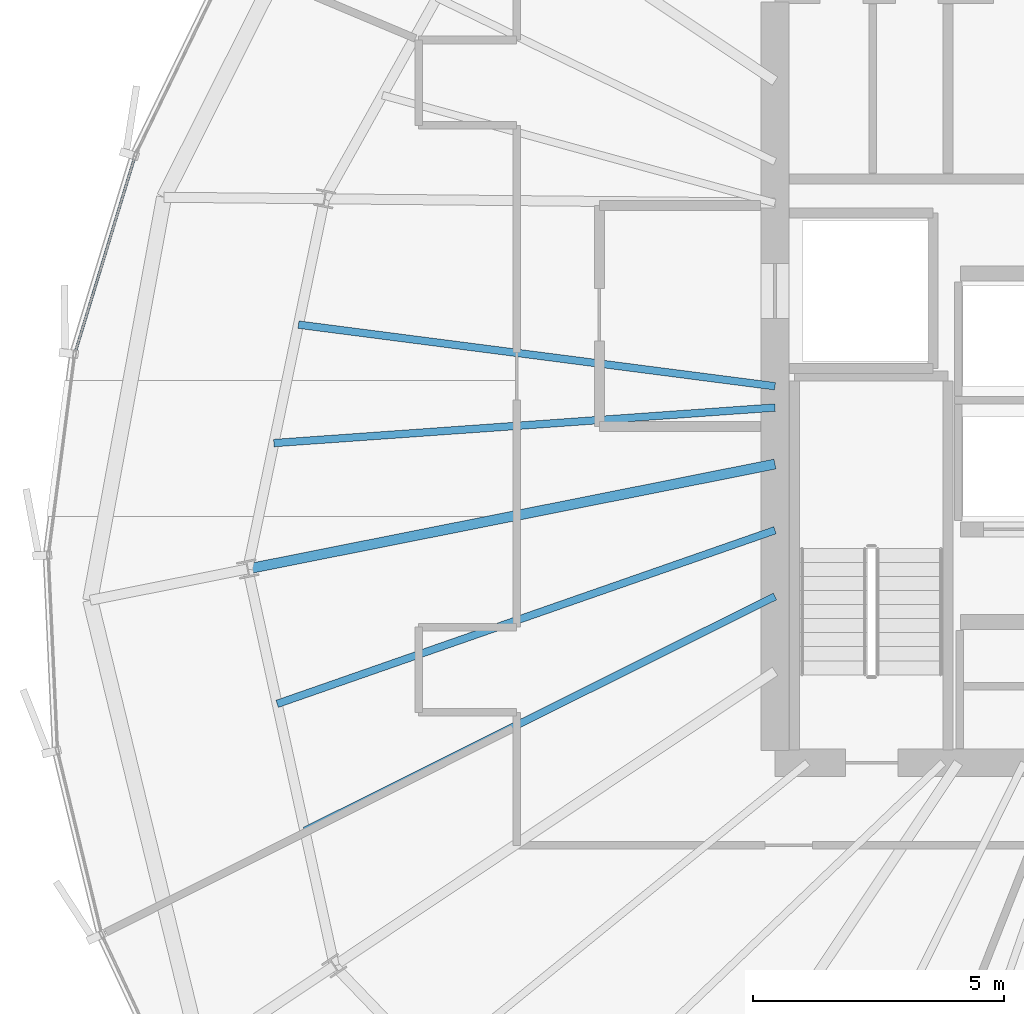
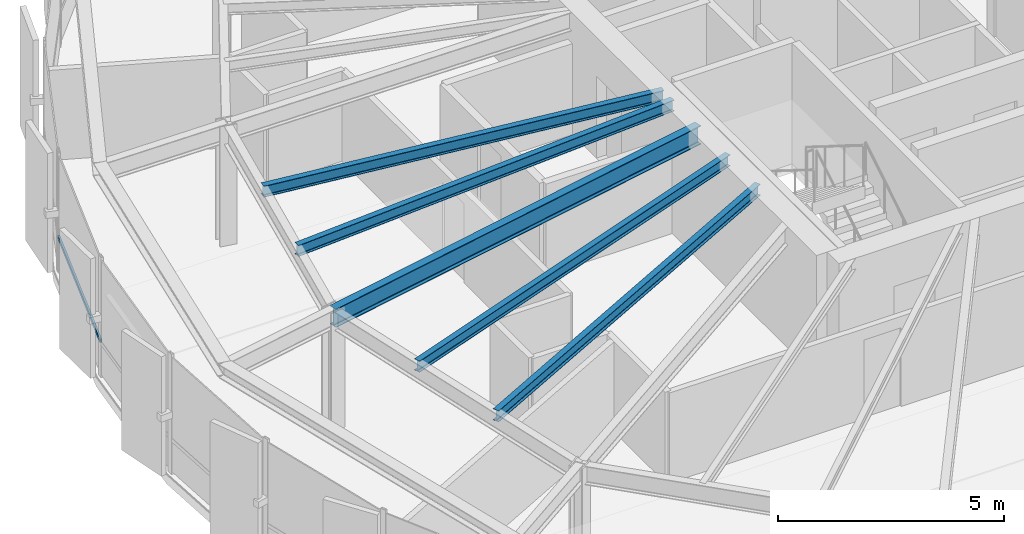
# One storey, part 9 of 34: 5 beams, 1 member, 1 element without a shape of its own.
"""IFC4 building model written with IfcOpenShell, lengths in metres."""

from ifc_helpers import new_model, si_unit, direction, frame, origin, origin_2d, place, context, subcontext, project, spatial, hollow_rectangle, i_section, extrude, source, transform, mapped, material, layer, layer_set, material_profile, profile_set, type_object, element, aggregate, save


model = new_model("IFC4")

# Units and contexts
model_context = context("Model", 3, precision=1e-05, world=origin(), true_north=direction((0.0, 1.0)))
body_context = subcontext(model_context, "Body", "Model", "MODEL_VIEW")
ifc_project = project(units=[si_unit("LENGTHUNIT", "METRE"), si_unit("AREAUNIT", "SQUARE_METRE"), si_unit("VOLUMEUNIT", "CUBIC_METRE"), si_unit("PLANEANGLEUNIT", "RADIAN"), si_unit("MASSUNIT", "GRAM", prefix="KILO"), si_unit("THERMODYNAMICTEMPERATUREUNIT", "KELVIN")], contexts=[model_context])

# Site, building, storey
site_placement = place(None, origin())
site = spatial("IfcSite", under=ifc_project, at=site_placement, CompositionType="ELEMENT")
building_placement = place(site_placement, origin())
building = spatial("IfcBuilding", under=site, at=building_placement, Name="Kethvar Cultural Tower", CompositionType="ELEMENT")
storey_placement = place(building_placement, frame((0.0, 0.0, 207.89990234375)))
storey = spatial("IfcBuildingStorey", under=building, at=storey_placement, Name="L54", CompositionType="ELEMENT", Elevation=207.89990234375)

# Beams
ifc_material_1 = material(Name="Steel S355J2", Category="steel")
ifc_material_profile_1 = material_profile(ifc_material_1, i_section(OverallWidth=0.199951171875, OverallDepth=0.5, WebThickness=0.01025390625, FlangeThickness=0.01611328125, FilletRadius=0.02099609375, at=origin_2d()), Name="Steel S355J2 — IPE500")
ifc_profile_set_1 = profile_set([ifc_material_profile_1], Name="Steel S355J2 — IPE500")
beam_type_1 = type_object("IfcBeamType", Name="BM-IPE500", PredefinedType="BEAM", material=ifc_profile_set_1)
shared_shape_1 = source(origin(), body_context, "Body", "SweptSolid", [
    extrude(i_section(OverallWidth=0.199951171875, OverallDepth=0.5, WebThickness=0.01025390625, FlangeThickness=0.01611328125, FilletRadius=0.02099609375, at=origin_2d()), origin(), (0.0, 0.0, 1.0), 10.712890625),
])
beam_1_placement = place(storey_placement, frame((38.0, 26.049560546875, 3.008056640625), z_axis=(-0.980787859831, -0.195077353908, 0.0), x_axis=(0.195077353908, -0.980787859831, 0.0)))
element("IfcBeam", 1, at=beam_1_placement, inside=storey, type_object=beam_type_1, Name="L54 Primary Radial Beam RB-09", PredefinedType="BEAM", context=body_context, shape_type="MappedRepresentation", body=[
    mapped(shared_shape_1, transform((0.0, 0.0, 0.0), scale=1.0)),
])
ifc_material_profile_2 = material_profile(ifc_material_1, i_section(OverallWidth=0.14990234375, OverallDepth=0.300048828125, WebThickness=0.007080078125, FlangeThickness=0.0107421875, FilletRadius=0.014892578125, at=origin_2d()), Name="Steel S355J2 — IPE300")
ifc_profile_set_2 = profile_set([ifc_material_profile_2], Name="Steel S355J2 — IPE300")
beam_type_2 = type_object("IfcBeamType", Name="BM-J300", PredefinedType="JOIST", material=ifc_profile_set_2)
shared_shape_2 = source(origin(), body_context, "Body", "SweptSolid", [
    extrude(i_section(OverallWidth=0.14990234375, OverallDepth=0.300048828125, WebThickness=0.007080078125, FlangeThickness=0.0107421875, FilletRadius=0.014892578125, at=origin_2d()), origin(), (0.0, 0.0, 1.0), 9.5751953125),
])
beam_2_placement = place(storey_placement, frame((38.0, 27.60009765625, 3.108154296875), z_axis=(-0.991744950922, 0.128226176424, 0.0), x_axis=(-0.128226176424, -0.991744950922, 0.0)))
element("IfcBeam", 2, at=beam_2_placement, inside=storey, type_object=beam_type_2, Name="L54 Composite Floor Joist J-08A", PredefinedType="JOIST", context=body_context, shape_type="MappedRepresentation", body=[
    mapped(shared_shape_2, transform((0.0, 0.0, 0.0), scale=1.0)),
])
shared_shape_3 = source(origin(), body_context, "Body", "SweptSolid", [
    extrude(i_section(OverallWidth=0.14990234375, OverallDepth=0.300048828125, WebThickness=0.007080078125, FlangeThickness=0.0107421875, FilletRadius=0.014892578125, at=origin_2d()), origin(), (0.0, 0.0, 1.0), 10.01123046875),
])
beam_3_placement = place(storey_placement, frame((38.0, 27.17578125, 3.108154296875), z_axis=(-0.997494349679, -0.070746182637, 0.0), x_axis=(0.070746182637, -0.997494349679, 0.0)))
element("IfcBeam", 3, at=beam_3_placement, inside=storey, type_object=beam_type_2, Name="L54 Composite Floor Joist J-08B", PredefinedType="JOIST", context=body_context, shape_type="MappedRepresentation", body=[
    mapped(shared_shape_3, transform((0.0, 0.0, 0.0), scale=1.0)),
])
shared_shape_4 = source(origin(), body_context, "Body", "SweptSolid", [
    extrude(i_section(OverallWidth=0.14990234375, OverallDepth=0.300048828125, WebThickness=0.007080078125, FlangeThickness=0.0107421875, FilletRadius=0.014892578125, at=origin_2d()), origin(), (0.0, 0.0, 1.0), 10.506591796875),
])
beam_4_placement = place(storey_placement, frame((38.0, 24.73095703125, 3.108154296875), z_axis=(-0.944221858738, -0.329310008171, 0.0), x_axis=(0.329310008171, -0.944221858738, 0.0)))
element("IfcBeam", 4, at=beam_4_placement, inside=storey, type_object=beam_type_2, Name="L54 Composite Floor Joist J-09A", PredefinedType="JOIST", context=body_context, shape_type="MappedRepresentation", body=[
    mapped(shared_shape_4, transform((0.0, 0.0, 0.0), scale=1.0)),
])
shared_shape_5 = source(origin(), body_context, "Body", "SweptSolid", [
    extrude(i_section(OverallWidth=0.14990234375, OverallDepth=0.300048828125, WebThickness=0.007080078125, FlangeThickness=0.0107421875, FilletRadius=0.014892578125, at=origin_2d()), origin(), (0.0, 0.0, 1.0), 10.468994140625),
])
beam_5_placement = place(storey_placement, frame((38.0, 23.412109375, 3.108154296875), z_axis=(-0.894916380948, -0.446233874904, 0.0), x_axis=(0.446233874904, -0.894916380948, 0.0)))
element("IfcBeam", 5, at=beam_5_placement, inside=storey, type_object=beam_type_2, Name="L54 Composite Floor Joist J-09B", PredefinedType="JOIST", context=body_context, shape_type="MappedRepresentation", body=[
    mapped(shared_shape_5, transform((0.0, 0.0, 0.0), scale=1.0)),
])

# Curtain wall, member
ifc_material_2 = material(Name="Aluminium 6063-T6", Category="aluminium")
ifc_layer = layer(ifc_material_2, 0.179931640625, Name="Aluminium 6063-T6", Category="aluminium")
ifc_layer_set = layer_set([ifc_layer], Name="Aluminium 6063-T6 (180 mm)")
curtain_wall_type = type_object("IfcCurtainWallType", Name="CW-SYS-04-Z34", PredefinedType="NOTDEFINED", material=ifc_layer_set)
curtain_wall_placement = place(storey_placement, origin())
curtain_wall = element("IfcCurtainWall", 6, at=curtain_wall_placement, inside=storey, type_object=curtain_wall_type, Name="L54 Curtain Wall Run 03", PredefinedType="NOTDEFINED")
ifc_material_profile_3 = material_profile(ifc_material_2, hollow_rectangle(XDim=0.050048828125, YDim=0.10009765625, WallThickness=0.00390625, at=origin_2d()), Name="Aluminium 6063-T6 — RHS100x50x4")
ifc_profile_set_3 = profile_set([ifc_material_profile_3], Name="Aluminium 6063-T6 — RHS100x50x4")
member_type = type_object("IfcMemberType", Name="CW-SYS-04-Z34-TRN", PredefinedType="USERDEFINED", material=ifc_profile_set_3)
shared_shape_6 = source(origin(), body_context, "Body", "SweptSolid", [
    extrude(hollow_rectangle(XDim=0.050048828125, YDim=0.10009765625, WallThickness=0.00390625, at=origin_2d()), origin(), (0.0, 0.0, 1.0), 4.103759765625),
])
member_placement = place(storey_placement, frame((25.24755859375, 32.18701171875, 0.9501953125), z_axis=(-0.291455154711, -0.956584493284, 0.0), x_axis=(0.956584493284, -0.291455154711, 0.0)))
member = element("IfcMember", 7, at=member_placement, type_object=member_type, Name="CW-L54-R03 Transom 1", ObjectType="TRANSOM", PredefinedType="USERDEFINED", context=body_context, shape_type="MappedRepresentation", body=[
    mapped(shared_shape_6, transform((0.0, 0.0, 0.0), scale=1.0)),
])
aggregate(curtain_wall, [member])

save(model, "model.ifc")
